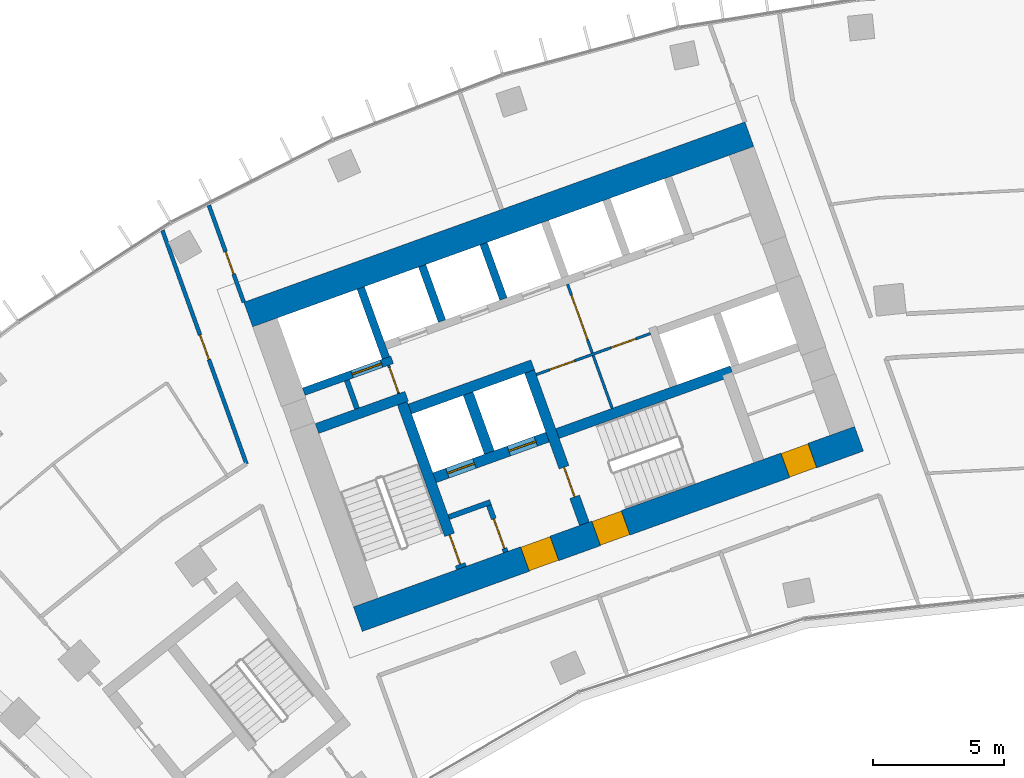
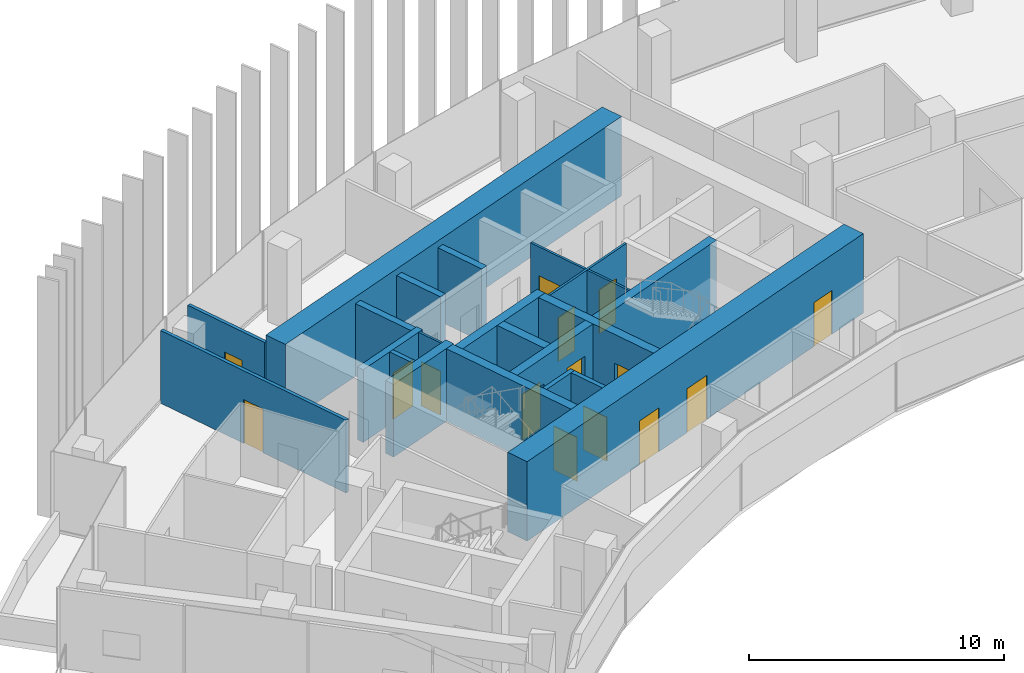
# One storey, part 13 of 20: 20 walls, 15 doors, 15 openings.
"""IFC4 building model written with IfcOpenShell, lengths in metres."""

from ifc_helpers import new_model, si_unit, direction, frame, frame_2d, origin, place, context, subcontext, project, spatial, rectangle, extrude, material, layer, layer_set, type_object, element, fill, save


model = new_model("IFC4")

# Units and contexts
model_context = context("Model", 3, precision=1e-05, world=origin(), true_north=direction((0.0, 1.0)))
body_context = subcontext(model_context, "Body", "Model", "MODEL_VIEW")
ifc_project = project(units=[si_unit("LENGTHUNIT", "METRE"), si_unit("AREAUNIT", "SQUARE_METRE"), si_unit("VOLUMEUNIT", "CUBIC_METRE"), si_unit("PLANEANGLEUNIT", "RADIAN"), si_unit("MASSUNIT", "GRAM", prefix="KILO")], contexts=[model_context])

# Site, building, storey
site_placement = place(None, origin())
site = spatial("IfcSite", under=ifc_project, at=site_placement, CompositionType="ELEMENT")
building_placement = place(site_placement, origin())
building = spatial("IfcBuilding", under=site, at=building_placement, Name="Stone Belt Terrace Tower", CompositionType="ELEMENT")
storey_placement = place(building_placement, frame((0.0, 0.0, 201.0)))
storey = spatial("IfcBuildingStorey", under=building, at=storey_placement, Name="L48", CompositionType="ELEMENT", Elevation=201.0)

# Wall, opening, door
ifc_material_1 = material(Name="Plasterboard partition")
ifc_layer_1 = layer(ifc_material_1, 0.10009765625)
ifc_layer_set_1 = layer_set([ifc_layer_1], Name="Core partition 100")
wall_type_1 = type_object("IfcWallType", Name="Core partition 100", PredefinedType="PARTITIONING", material=ifc_layer_set_1)
wall_1_placement = place(storey_placement, frame((-24.555908203125, 51.10400390625, 0.0), z_axis=(0.0, 0.0, 1.0), x_axis=(-0.338621735342, 0.94092258999, 0.0)))
wall_1 = element("IfcWall", 1, at=wall_1_placement, inside=storey, type_object=wall_type_1, Name="Core A wall", PredefinedType="PARTITIONING", context=body_context, shape_type="SweptSolid", body=[
    extrude(rectangle(XDim=1.14990234375, YDim=0.10009765625, at=frame_2d((0.574951171875, 0.0))), origin(), (0.0, 0.0, 1.0), 3.47998046875),
])
opening_1_placement = place(wall_1_placement, frame((0.050048828125, 0.0, 0.0)))
opening_1 = element("IfcOpeningElement", 2, at=opening_1_placement, cuts=wall_1, Name="Opening L48-C05", PredefinedType="OPENING", context=body_context, shape_type="SweptSolid", body=[
    extrude(rectangle(XDim=1.0, YDim=2.10009765625, at=frame_2d((0.5, 1.050048828125))), frame((0.0, 0.06005859375, 0.0), z_axis=(0.0, -1.0, 0.0), x_axis=(1.0, 0.0, 0.0)), (0.0, 0.0, 1.0), 0.1201171875),
])
ifc_material_2 = material(Name="Timber door leaf", Category="wood")
door_type_1 = type_object("IfcDoorType", Name="Core room door 1000", OperationType="SINGLE_SWING_LEFT", PredefinedType="DOOR", material=ifc_material_2)
door_1_placement = place(opening_1_placement, origin())
door_1 = element("IfcDoor", 3, at=door_1_placement, inside=storey, type_object=door_type_1, Name="Service lift lobby door core A", OperationType="SINGLE_SWING_LEFT", OverallHeight=2.10009765625, OverallWidth=1.0, PredefinedType="DOOR", context=body_context, shape_type="SweptSolid", body=[
    extrude(rectangle(XDim=1.0, YDim=2.10009765625, at=frame_2d((0.5, 1.050048828125))), frame((0.0, 0.02490234375, 0.0), z_axis=(0.0, -1.0, 0.0), x_axis=(1.0, 0.0, 0.0)), (0.0, 0.0, 1.0), 0.050048828125),
])
fill(opening_1, door_1)

# Wall, openings, doors
wall_2_placement = place(storey_placement, frame((-19.29052734375, 51.829833984375, 0.0), z_axis=(0.0, 0.0, 1.0), x_axis=(0.940930240745, 0.338600475563, 0.0)))
wall_2 = element("IfcWall", 4, at=wall_2_placement, inside=storey, type_object=wall_type_1, Name="Core A wall", PredefinedType="PARTITIONING", context=body_context, shape_type="SweptSolid", body=[
    extrude(rectangle(XDim=4.64990234375, YDim=0.10009765625, at=frame_2d((2.324951171875, 0.0))), origin(), (0.0, 0.0, 1.0), 3.47998046875),
])
opening_2_placement = place(wall_2_placement, frame((0.550048828125, 0.0, 0.0)))
opening_2 = element("IfcOpeningElement", 5, at=opening_2_placement, cuts=wall_2, Name="Opening L48-C02", PredefinedType="OPENING", context=body_context, shape_type="SweptSolid", body=[
    extrude(rectangle(XDim=1.0, YDim=2.10009765625, at=frame_2d((0.5, 1.050048828125))), frame((0.0, 0.06005859375, 0.0), z_axis=(0.0, -1.0, 0.0), x_axis=(1.0, 0.0, 0.0)), (0.0, 0.0, 1.0), 0.1201171875),
])
opening_3_placement = place(wall_2_placement, frame((3.050048828125, 0.0, 0.0)))
opening_3 = element("IfcOpeningElement", 6, at=opening_3_placement, cuts=wall_2, Name="Opening L48-C03", PredefinedType="OPENING", context=body_context, shape_type="SweptSolid", body=[
    extrude(rectangle(XDim=1.0, YDim=2.10009765625, at=frame_2d((0.5, 1.050048828125))), frame((0.0, 0.06005859375, 0.0), z_axis=(0.0, -1.0, 0.0), x_axis=(1.0, 0.0, 0.0)), (0.0, 0.0, 1.0), 0.1201171875),
])
door_2_placement = place(opening_2_placement, origin())
door_2 = element("IfcDoor", 7, at=door_2_placement, inside=storey, type_object=door_type_1, Name="Door to Telecommunications room core A", OperationType="SINGLE_SWING_LEFT", OverallHeight=2.10009765625, OverallWidth=1.0, PredefinedType="DOOR", context=body_context, shape_type="SweptSolid", body=[
    extrude(rectangle(XDim=1.0, YDim=2.10009765625, at=frame_2d((0.5, 1.050048828125))), frame((0.0, 0.02490234375, 0.0), z_axis=(0.0, -1.0, 0.0), x_axis=(1.0, 0.0, 0.0)), (0.0, 0.0, 1.0), 0.050048828125),
])
fill(opening_2, door_2)
door_3_placement = place(opening_3_placement, origin())
door_3 = element("IfcDoor", 8, at=door_3_placement, inside=storey, type_object=door_type_1, Name="Door to Archive store core A", OperationType="SINGLE_SWING_RIGHT", OverallHeight=2.10009765625, OverallWidth=1.0, PredefinedType="DOOR", context=body_context, shape_type="SweptSolid", body=[
    extrude(rectangle(XDim=1.0, YDim=2.10009765625, at=frame_2d((0.5, 1.050048828125))), frame((0.0, 0.02490234375, 0.0), z_axis=(0.0, -1.0, 0.0), x_axis=(1.0, 0.0, 0.0)), (0.0, 0.0, 1.0), 0.050048828125),
])
fill(opening_3, door_3)

# Wall, opening, door
wall_3_placement = place(storey_placement, frame((-16.38134765625, 50.53857421875, 0.0), z_axis=(0.0, 0.0, 1.0), x_axis=(-0.33860476744, 0.940928696271, 0.0)))
wall_3 = element("IfcWall", 9, at=wall_3_placement, inside=storey, type_object=wall_type_1, Name="Core A wall", PredefinedType="PARTITIONING", context=body_context, shape_type="SweptSolid", body=[
    extrude(rectangle(XDim=5.050048828125, YDim=0.10009765625, at=frame_2d((2.52490234375, 0.0))), origin(), (0.0, 0.0, 1.0), 3.47998046875),
])
opening_4_placement = place(wall_3_placement, frame((2.800048828125, 0.0, 0.0)))
opening_4 = element("IfcOpeningElement", 10, at=opening_4_placement, cuts=wall_3, Name="Opening L48-C06", PredefinedType="OPENING", context=body_context, shape_type="SweptSolid", body=[
    extrude(rectangle(XDim=1.800048828125, YDim=2.10009765625, at=frame_2d((0.89990234375, 1.050048828125))), frame((0.0, 0.06005859375, 0.0), z_axis=(0.0, -1.0, 0.0), x_axis=(1.0, 0.0, 0.0)), (0.0, 0.0, 1.0), 0.1201171875),
])
ifc_material_3 = material(Name="Glazed aluminium door leaf", Category="aluminium")
door_type_2 = type_object("IfcDoorType", Name="Lift lobby entrance door 1800", OperationType="DOUBLE_DOOR_SINGLE_SWING", PredefinedType="DOOR", material=ifc_material_3)
door_4_placement = place(opening_4_placement, origin())
door_4 = element("IfcDoor", 11, at=door_4_placement, inside=storey, type_object=door_type_2, Name="Lift lobby double door core A", OperationType="DOUBLE_DOOR_SINGLE_SWING", OverallHeight=2.10009765625, OverallWidth=1.800048828125, PredefinedType="DOOR", context=body_context, shape_type="SweptSolid", body=[
    extrude(rectangle(XDim=1.800048828125, YDim=2.10009765625, at=frame_2d((0.89990234375, 1.050048828125))), frame((0.0, 0.02490234375, 0.0), z_axis=(0.0, -1.0, 0.0), x_axis=(1.0, 0.0, 0.0)), (0.0, 0.0, 1.0), 0.050048828125),
])
fill(opening_4, door_4)

# Wall, openings, doors
ifc_material_4 = material(Name="Concrete B60", Category="concrete")
ifc_layer_2 = layer(ifc_material_4, 1.0)
ifc_layer_set_2 = layer_set([ifc_layer_2], Name="Core wall 1000 B60")
wall_type_2 = type_object("IfcWallType", Name="Core wall 1000 B60", PredefinedType="SHEAR", material=ifc_layer_set_2)
wall_4_placement = place(storey_placement, frame((-26.122314453125, 42.462890625, 0.0), z_axis=(0.0, 0.0, 1.0), x_axis=(0.940921428504, 0.338624962727, 0.0)))
wall_4 = element("IfcWall", 12, at=wall_4_placement, inside=storey, type_object=wall_type_2, Name="Core A wall concave L48", PredefinedType="SHEAR", context=body_context, shape_type="SweptSolid", body=[
    extrude(rectangle(XDim=20.400146484375, YDim=1.0, at=frame_2d((10.2001953125, 0.0))), origin(), (0.0, 0.0, 1.0), 3.800048828125),
])
opening_5_placement = place(wall_4_placement, frame((6.800048828125, 0.0, 0.0)))
opening_5 = element("IfcOpeningElement", 13, at=opening_5_placement, cuts=wall_4, Name="Opening L48-C10", PredefinedType="OPENING", context=body_context, shape_type="SweptSolid", body=[
    extrude(rectangle(XDim=1.199951171875, YDim=2.10009765625, at=frame_2d((0.60009765625, 1.050048828125))), frame((0.0, 0.510009765625, 0.0), z_axis=(0.0, -1.0, 0.0), x_axis=(1.0, 0.0, 0.0)), (0.0, 0.0, 1.0), 1.02001953125),
])
opening_6_placement = place(wall_4_placement, frame((9.699951171875, 0.0, 0.0)))
opening_6 = element("IfcOpeningElement", 14, at=opening_6_placement, cuts=wall_4, Name="Opening L48-C12", PredefinedType="OPENING", context=body_context, shape_type="SweptSolid", body=[
    extrude(rectangle(XDim=1.199951171875, YDim=2.10009765625, at=frame_2d((0.60009765625, 1.050048828125))), frame((0.0, 0.510009765625, 0.0), z_axis=(0.0, -1.0, 0.0), x_axis=(1.0, 0.0, 0.0)), (0.0, 0.0, 1.0), 1.02001953125),
])
opening_7_placement = place(wall_4_placement, frame((17.400146484375, 0.0, 0.0)))
opening_7 = element("IfcOpeningElement", 15, at=opening_7_placement, cuts=wall_4, Name="Opening L48-C14", PredefinedType="OPENING", context=body_context, shape_type="SweptSolid", body=[
    extrude(rectangle(XDim=1.10009765625, YDim=2.10009765625, at=frame_2d((0.550048828125, 1.050048828125))), frame((0.0, 0.510009765625, 0.0), z_axis=(0.0, -1.0, 0.0), x_axis=(1.0, 0.0, 0.0)), (0.0, 0.0, 1.0), 1.02001953125),
])
door_type_3 = type_object("IfcDoorType", Name="Core room door 1100", OperationType="SINGLE_SWING_LEFT", PredefinedType="DOOR", material=ifc_material_2)
door_5_placement = place(opening_7_placement, origin())
door_5 = element("IfcDoor", 16, at=door_5_placement, inside=storey, type_object=door_type_3, Name="Door to Cleaner's store core A", OperationType="SINGLE_SWING_LEFT", OverallHeight=2.10009765625, OverallWidth=1.10009765625, PredefinedType="DOOR", context=body_context, shape_type="SweptSolid", body=[
    extrude(rectangle(XDim=1.10009765625, YDim=2.10009765625, at=frame_2d((0.550048828125, 1.050048828125))), frame((0.0, 0.47998046875, 0.0), z_axis=(0.0, -1.0, 0.0), x_axis=(1.0, 0.0, 0.0)), (0.0, 0.0, 1.0), 0.9599609375),
])
fill(opening_7, door_5)
ifc_material_5 = material(Name="Steel door leaf", Category="steel")
door_type_4 = type_object("IfcDoorType", Name="Fire-fighting lobby door 1200", OperationType="SINGLE_SWING_LEFT", PredefinedType="DOOR", material=ifc_material_5)
door_6_placement = place(opening_5_placement, origin())
door_6 = element("IfcDoor", 17, at=door_6_placement, inside=storey, type_object=door_type_4, Name="Fire-fighting lobby door core A", OperationType="SINGLE_SWING_LEFT", OverallHeight=2.10009765625, OverallWidth=1.199951171875, PredefinedType="DOOR", context=body_context, shape_type="SweptSolid", body=[
    extrude(rectangle(XDim=1.199951171875, YDim=2.10009765625, at=frame_2d((0.60009765625, 1.050048828125))), frame((0.0, 0.47998046875, 0.0), z_axis=(0.0, -1.0, 0.0), x_axis=(1.0, 0.0, 0.0)), (0.0, 0.0, 1.0), 0.9599609375),
])
fill(opening_5, door_6)
door_type_5 = type_object("IfcDoorType", Name="Stair door 1200", OperationType="SINGLE_SWING_LEFT", PredefinedType="DOOR", material=ifc_material_5)
door_7_placement = place(opening_6_placement, origin())
door_7 = element("IfcDoor", 18, at=door_7_placement, inside=storey, type_object=door_type_5, Name="Stair 2 exit door core A", OperationType="SINGLE_SWING_RIGHT", OverallHeight=2.10009765625, OverallWidth=1.199951171875, PredefinedType="DOOR", context=body_context, shape_type="SweptSolid", body=[
    extrude(rectangle(XDim=1.199951171875, YDim=2.10009765625, at=frame_2d((0.60009765625, 1.050048828125))), frame((0.0, 0.47998046875, 0.0), z_axis=(0.0, -1.0, 0.0), x_axis=(1.0, 0.0, 0.0)), (0.0, 0.0, 1.0), 0.9599609375),
])
fill(opening_6, door_7)

# Walls
wall_5_placement = place(storey_placement, frame((-30.3212890625, 54.13037109375, 0.0), z_axis=(0.0, 0.0, 1.0), x_axis=(0.940921428504, 0.338624962727, 0.0)))
element("IfcWall", 19, at=wall_5_placement, inside=storey, type_object=wall_type_2, Name="Core A wall convex L48", PredefinedType="SHEAR", context=body_context, shape_type="SweptSolid", body=[
    extrude(rectangle(XDim=20.400146484375, YDim=1.0, at=frame_2d((10.2001953125, 0.0))), origin(), (0.0, 0.0, 1.0), 3.800048828125),
])
ifc_material_6 = material(Name="Concrete B80", Category="concrete")
ifc_layer_3 = layer(ifc_material_6, 0.39990234375)
ifc_layer_set_3 = layer_set([ifc_layer_3], Name="Fire-fighting lift shaft wall 400")
wall_type_3 = type_object("IfcWallType", Name="Fire-fighting lift shaft wall 400", PredefinedType="SHEAR", material=ifc_layer_set_3)
wall_6_placement = place(storey_placement, frame((-24.130615234375, 50.512939453125, 0.0), z_axis=(0.0, 0.0, 1.0), x_axis=(0.94091168377, 0.338652038744, 0.0)))
element("IfcWall", 20, at=wall_6_placement, inside=storey, type_object=wall_type_3, Name="Core A wall", PredefinedType="SHEAR", context=body_context, shape_type="SweptSolid", body=[
    extrude(rectangle(XDim=5.000244140625, YDim=0.39990234375, at=frame_2d((2.5, 0.0))), origin(), (0.0, 0.0, 1.0), 3.47998046875),
])
wall_7_placement = place(storey_placement, frame((-21.0859375, 48.845458984375, 0.0), z_axis=(0.0, 0.0, 1.0), x_axis=(-0.338629416206, 0.940919825745, 0.0)))
element("IfcWall", 21, at=wall_7_placement, inside=storey, type_object=wall_type_3, Name="Core A wall", PredefinedType="SHEAR", context=body_context, shape_type="SweptSolid", body=[
    extrude(rectangle(XDim=2.400146484375, YDim=0.39990234375, at=frame_2d((1.2001953125, 0.0))), origin(), (0.0, 0.0, 1.0), 3.47998046875),
])

# Wall, opening, door
ifc_layer_4 = layer(ifc_material_6, 0.300048828125)
ifc_layer_set_4 = layer_set([ifc_layer_4], Name="Lift shaft wall 300")
wall_type_4 = type_object("IfcWallType", Name="Lift shaft wall 300", PredefinedType="SHEAR", material=ifc_layer_set_4)
wall_8_placement = place(storey_placement, frame((-28.195068359375, 51.17578125, 0.0), z_axis=(0.0, 0.0, 1.0), x_axis=(0.940901243567, 0.338681044427, 0.0)))
wall_8 = element("IfcWall", 22, at=wall_8_placement, inside=storey, type_object=wall_type_4, Name="Core A wall", PredefinedType="SHEAR", context=body_context, shape_type="SweptSolid", body=[
    extrude(rectangle(XDim=3.599853515625, YDim=0.300048828125, at=frame_2d((1.7998046875, 0.0))), origin(), (0.0, 0.0, 1.0), 3.47998046875),
])
opening_8_placement = place(wall_8_placement, frame((1.969970703125, 0.0, 0.0)))
opening_8 = element("IfcOpeningElement", 23, at=opening_8_placement, cuts=wall_8, Name="Opening L48-LD08", PredefinedType="OPENING", context=body_context, shape_type="SweptSolid", body=[
    extrude(rectangle(XDim=1.199951171875, YDim=2.199951171875, at=frame_2d((0.60009765625, 1.10009765625))), frame((0.0, 0.159912109375, 0.0), z_axis=(0.0, -1.0, 0.0), x_axis=(1.0, 0.0, 0.0)), (0.0, 0.0, 1.0), 0.320068359375),
])
ifc_material_7 = material(Name="Stainless steel door leaf", Category="steel")
door_type_6 = type_object("IfcDoorType", Name="Landing door 1200", OperationType="SLIDING_TO_LEFT", PredefinedType="DOOR", material=ifc_material_7)
door_8_placement = place(opening_8_placement, origin())
door_8 = element("IfcDoor", 24, at=door_8_placement, inside=storey, type_object=door_type_6, Name="Landing door SV1 core A", OperationType="SLIDING_TO_LEFT", OverallHeight=2.199951171875, OverallWidth=1.199951171875, PredefinedType="DOOR", context=body_context, shape_type="SweptSolid", body=[
    extrude(rectangle(XDim=1.199951171875, YDim=2.199951171875, at=frame_2d((0.60009765625, 1.10009765625))), frame((0.0, 0.02490234375, 0.0), z_axis=(0.0, -1.0, 0.0), x_axis=(1.0, 0.0, 0.0)), (0.0, 0.0, 1.0), 0.050048828125),
])
fill(opening_8, door_8)

# Walls
wall_9_placement = place(storey_placement, frame((-25.046875, 52.46826171875, 0.0), z_axis=(0.0, 0.0, 1.0), x_axis=(-0.338549588058, 0.940948551423, 0.0)))
element("IfcWall", 25, at=wall_9_placement, inside=storey, type_object=wall_type_4, Name="Core A wall", PredefinedType="SHEAR", context=body_context, shape_type="SweptSolid", body=[
    extrude(rectangle(XDim=2.849853515625, YDim=0.300048828125, at=frame_2d((1.4248046875, 0.0))), origin(), (0.0, 0.0, 1.0), 3.47998046875),
])
wall_10_placement = place(storey_placement, frame((-22.897705078125, 53.87939453125, 0.0), z_axis=(0.0, 0.0, 1.0), x_axis=(-0.338535034312, 0.940953787677, 0.0)))
element("IfcWall", 26, at=wall_10_placement, inside=storey, type_object=wall_type_4, Name="Core A wall", PredefinedType="SHEAR", context=body_context, shape_type="SweptSolid", body=[
    extrude(rectangle(XDim=2.25, YDim=0.300048828125, at=frame_2d((1.125, 0.0))), origin(), (0.0, 0.0, 1.0), 3.47998046875),
])
wall_11_placement = place(storey_placement, frame((-20.54541015625, 54.72607421875, 0.0), z_axis=(0.0, 0.0, 1.0), x_axis=(-0.338569601369, 0.940941350472, 0.0)))
element("IfcWall", 27, at=wall_11_placement, inside=storey, type_object=wall_type_4, Name="Core A wall", PredefinedType="SHEAR", context=body_context, shape_type="SweptSolid", body=[
    extrude(rectangle(XDim=2.249755859375, YDim=0.300048828125, at=frame_2d((1.125, 0.0))), origin(), (0.0, 0.0, 1.0), 3.47998046875),
])

# Wall, opening, door
ifc_material_8 = material(Name="Gypsum board partition")
ifc_layer_5 = layer(ifc_material_8, 0.14990234375)
ifc_layer_set_5 = layer_set([ifc_layer_5], Name="PARTITION 150 EI 60")
wall_type_5 = type_object("IfcWallType", Name="PARTITION 150 EI 60", PredefinedType="PARTITIONING", material=ifc_layer_set_5)
wall_12_placement = place(storey_placement, frame((-31.826904296875, 58.314208984375, 0.0), z_axis=(0.0, 0.0, 1.0), x_axis=(0.338542007836, -0.940951278723, 0.0)))
wall_12 = element("IfcWall", 28, at=wall_12_placement, inside=storey, type_object=wall_type_5, Name="L48/wall/i002", PredefinedType="PARTITIONING", context=body_context, shape_type="SweptSolid", body=[
    extrude(rectangle(XDim=3.946044921875, YDim=0.14990234375, at=frame_2d((1.97314453125, 0.0))), origin(), (0.0, 0.0, 1.0), 3.47998046875),
])
opening_9_placement = place(wall_12_placement, frame((1.889892578125, 0.0, 0.0)))
opening_9 = element("IfcOpeningElement", 29, at=opening_9_placement, cuts=wall_12, Name="Opening D-D1-04", PredefinedType="OPENING", context=body_context, shape_type="SweptSolid", body=[
    extrude(rectangle(XDim=0.89990234375, YDim=2.10009765625, at=frame_2d((0.449951171875, 1.050048828125))), frame((0.0, 0.0849609375, 0.0), z_axis=(0.0, -1.0, 0.0), x_axis=(1.0, 0.0, 0.0)), (0.0, 0.0, 1.0), 0.169921875),
])
door_type_7 = type_object("IfcDoorType", Name="OFFICE DOOR 900 X 2100", OperationType="NOTDEFINED", PredefinedType="DOOR", material=ifc_material_2)
door_9_placement = place(opening_9_placement, origin())
door_9 = element("IfcDoor", 30, at=door_9_placement, inside=storey, type_object=door_type_7, Name="L48/door/i04", OperationType="SINGLE_SWING_RIGHT", OverallHeight=2.10009765625, OverallWidth=0.89990234375, PredefinedType="DOOR", context=body_context, shape_type="SweptSolid", body=[
    extrude(rectangle(XDim=0.89990234375, YDim=2.10009765625, at=frame_2d((0.449951171875, 1.050048828125))), frame((0.0, 0.02490234375, 0.0), z_axis=(0.0, -1.0, 0.0), x_axis=(1.0, 0.0, 0.0)), (0.0, 0.0, 1.0), 0.050048828125),
])
fill(opening_9, door_9)

wall_13_placement = place(storey_placement, frame((-30.387939453125, 48.408935546875, 0.0), z_axis=(0.0, 0.0, 1.0), x_axis=(-0.338695824945, 0.940895923131, 0.0)))
wall_13 = element("IfcWall", 31, at=wall_13_placement, inside=storey, type_object=wall_type_5, Name="L48/wall/i006", PredefinedType="PARTITIONING", context=body_context, shape_type="SweptSolid", body=[
    extrude(rectangle(XDim=9.507080078125, YDim=0.14990234375, at=frame_2d((4.75341796875, 0.0))), origin(), (0.0, 0.0, 1.0), 3.47998046875),
])
opening_10_placement = place(wall_13_placement, frame((4.25341796875, 0.0, 0.0)))
opening_10 = element("IfcOpeningElement", 32, at=opening_10_placement, cuts=wall_13, Name="Opening D-D1-22", PredefinedType="OPENING", context=body_context, shape_type="SweptSolid", body=[
    extrude(rectangle(XDim=1.0, YDim=2.10009765625, at=frame_2d((0.5, 1.050048828125))), frame((0.0, 0.0849609375, 0.0), z_axis=(0.0, -1.0, 0.0), x_axis=(1.0, 0.0, 0.0)), (0.0, 0.0, 1.0), 0.169921875),
])
ifc_material_9 = material(Name="Timber fire door leaf", Category="wood")
door_type_8 = type_object("IfcDoorType", Name="TENANCY ENTRANCE DOOR 1000 X 2100", OperationType="NOTDEFINED", PredefinedType="DOOR", material=ifc_material_9)
door_10_placement = place(opening_10_placement, origin())
door_10 = element("IfcDoor", 33, at=door_10_placement, inside=storey, type_object=door_type_8, Name="L48/door/i22", OperationType="SINGLE_SWING_RIGHT", OverallHeight=2.10009765625, OverallWidth=1.0, PredefinedType="DOOR", context=body_context, shape_type="SweptSolid", body=[
    extrude(rectangle(XDim=1.0, YDim=2.10009765625, at=frame_2d((0.5, 1.050048828125))), frame((0.0, 0.02490234375, 0.0), z_axis=(0.0, -1.0, 0.0), x_axis=(1.0, 0.0, 0.0)), (0.0, 0.0, 1.0), 0.050048828125),
])
fill(opening_10, door_10)

# Walls
ifc_material_10 = material(Name="Concrete masonry block", Category="masonry")
ifc_layer_6 = layer(ifc_material_10, 0.199951171875)
ifc_layer_set_6 = layer_set([ifc_layer_6], Name="Rated lobby wall 200")
wall_type_6 = type_object("IfcWallType", Name="Rated lobby wall 200", PredefinedType="PARTITIONING", material=ifc_layer_set_6)
wall_14_placement = place(storey_placement, frame((-26.1552734375, 50.5283203125, 0.0), z_axis=(0.0, 0.0, 1.0), x_axis=(-0.338621735342, 0.94092258999, 0.0)))
element("IfcWall", 34, at=wall_14_placement, inside=storey, type_object=wall_type_6, Name="Core A wall", PredefinedType="PARTITIONING", context=body_context, shape_type="SweptSolid", body=[
    extrude(rectangle(XDim=1.14990234375, YDim=0.199951171875, at=frame_2d((0.574951171875, 0.0))), origin(), (0.0, 0.0, 1.0), 3.47998046875),
])
wall_15_placement = place(storey_placement, frame((-22.640625, 46.373046875, 0.0), z_axis=(0.0, 0.0, 1.0), x_axis=(0.940966110313, 0.338500781747, 0.0)))
element("IfcWall", 35, at=wall_15_placement, inside=storey, type_object=wall_type_6, Name="Core A wall", PredefinedType="PARTITIONING", context=body_context, shape_type="SweptSolid", body=[
    extrude(rectangle(XDim=1.699951171875, YDim=0.199951171875, at=frame_2d((0.85009765625, 0.0))), origin(), (0.0, 0.0, 1.0), 3.47998046875),
])

# Wall, opening, door
wall_16_placement = place(storey_placement, frame((-20.4580078125, 45.032958984375, 0.0), z_axis=(0.0, 0.0, 1.0), x_axis=(-0.338573865316, 0.940939816208, 0.0)))
wall_16 = element("IfcWall", 36, at=wall_16_placement, inside=storey, type_object=wall_type_6, Name="Core A wall", PredefinedType="PARTITIONING", context=body_context, shape_type="SweptSolid", body=[
    extrude(rectangle(XDim=1.900146484375, YDim=0.199951171875, at=frame_2d((0.9501953125, 0.0))), origin(), (0.0, 0.0, 1.0), 3.47998046875),
])
opening_11_placement = place(wall_16_placement, frame((0.14990234375, 0.0, 0.0)))
opening_11 = element("IfcOpeningElement", 37, at=opening_11_placement, cuts=wall_16, Name="Opening L48-C09", PredefinedType="OPENING", context=body_context, shape_type="SweptSolid", body=[
    extrude(rectangle(XDim=1.199951171875, YDim=2.10009765625, at=frame_2d((0.60009765625, 1.050048828125))), frame((0.0, 0.10986328125, 0.0), z_axis=(0.0, -1.0, 0.0), x_axis=(1.0, 0.0, 0.0)), (0.0, 0.0, 1.0), 0.219970703125),
])
door_11_placement = place(opening_11_placement, origin())
door_11 = element("IfcDoor", 38, at=door_11_placement, inside=storey, type_object=door_type_5, Name="Stair airlock door core A", OperationType="SINGLE_SWING_LEFT", OverallHeight=2.10009765625, OverallWidth=1.199951171875, PredefinedType="DOOR", context=body_context, shape_type="SweptSolid", body=[
    extrude(rectangle(XDim=1.199951171875, YDim=2.10009765625, at=frame_2d((0.60009765625, 1.050048828125))), frame((0.0, 0.02490234375, 0.0), z_axis=(0.0, -1.0, 0.0), x_axis=(1.0, 0.0, 0.0)), (0.0, 0.0, 1.0), 0.050048828125),
])
fill(opening_11, door_11)

# Wall
ifc_layer_7 = layer(ifc_material_6, 0.39990234375)
ifc_layer_set_7 = layer_set([ifc_layer_7], Name="Stair enclosure wall 400")
wall_type_7 = type_object("IfcWallType", Name="Stair enclosure wall 400", PredefinedType="SHEAR", material=ifc_layer_set_7)
wall_17_placement = place(storey_placement, frame((-27.687255859375, 49.764404296875, 0.0), z_axis=(0.0, 0.0, 1.0), x_axis=(0.940918954884, 0.338631835981, 0.0)))
element("IfcWall", 39, at=wall_17_placement, inside=storey, type_object=wall_type_7, Name="Core A wall", PredefinedType="SHEAR", context=body_context, shape_type="SweptSolid", body=[
    extrude(rectangle(XDim=3.650146484375, YDim=0.39990234375, at=frame_2d((1.8251953125, 0.0))), origin(), (0.0, 0.0, 1.0), 3.47998046875),
])

# Wall, opening, door
wall_18_placement = place(storey_placement, frame((-22.151611328125, 44.42333984375, 0.0), z_axis=(0.0, 0.0, 1.0), x_axis=(-0.338625272931, 0.940921316866, 0.0)))
wall_18 = element("IfcWall", 40, at=wall_18_placement, inside=storey, type_object=wall_type_7, Name="Core A wall", PredefinedType="SHEAR", context=body_context, shape_type="SweptSolid", body=[
    extrude(rectangle(XDim=6.699951171875, YDim=0.39990234375, at=frame_2d((3.35009765625, 0.0))), origin(), (0.0, 0.0, 1.0), 3.47998046875),
])
opening_12_placement = place(wall_18_placement, frame((0.14990234375, 0.0, 0.0)))
opening_12 = element("IfcOpeningElement", 41, at=opening_12_placement, cuts=wall_18, Name="Opening L48-C08", PredefinedType="OPENING", context=body_context, shape_type="SweptSolid", body=[
    extrude(rectangle(XDim=1.199951171875, YDim=2.10009765625, at=frame_2d((0.60009765625, 1.050048828125))), frame((0.0, 0.2099609375, 0.0), z_axis=(0.0, -1.0, 0.0), x_axis=(1.0, 0.0, 0.0)), (0.0, 0.0, 1.0), 0.419921875),
])
door_12_placement = place(opening_12_placement, origin())
door_12 = element("IfcDoor", 42, at=door_12_placement, inside=storey, type_object=door_type_5, Name="Stair 1 door core A", OperationType="SINGLE_SWING_LEFT", OverallHeight=2.10009765625, OverallWidth=1.199951171875, PredefinedType="DOOR", context=body_context, shape_type="SweptSolid", body=[
    extrude(rectangle(XDim=1.199951171875, YDim=2.10009765625, at=frame_2d((0.60009765625, 1.050048828125))), frame((0.0, 0.02490234375, 0.0), z_axis=(0.0, -1.0, 0.0), x_axis=(1.0, 0.0, 0.0)), (0.0, 0.0, 1.0), 0.050048828125),
])
fill(opening_12, door_12)

# Wall, openings, doors
wall_19_placement = place(storey_placement, frame((-23.182373046875, 47.87841796875, 0.0), z_axis=(0.0, 0.0, 1.0), x_axis=(0.940921101762, 0.338625870628, 0.0)))
wall_19 = element("IfcWall", 43, at=wall_19_placement, inside=storey, type_object=wall_type_7, Name="Core A wall", PredefinedType="SHEAR", context=body_context, shape_type="SweptSolid", body=[
    extrude(rectangle(XDim=12.10009765625, YDim=0.39990234375, at=frame_2d((6.050048828125, 0.0))), origin(), (0.0, 0.0, 1.0), 3.47998046875),
])
opening_13_placement = place(wall_19_placement, frame((0.52001953125, 0.0, 0.0)))
opening_13 = element("IfcOpeningElement", 44, at=opening_13_placement, cuts=wall_19, Name="Opening L48-LD06", PredefinedType="OPENING", context=body_context, shape_type="SweptSolid", body=[
    extrude(rectangle(XDim=1.10009765625, YDim=2.199951171875, at=frame_2d((0.550048828125, 1.10009765625))), frame((0.0, 0.2099609375, 0.0), z_axis=(0.0, -1.0, 0.0), x_axis=(1.0, 0.0, 0.0)), (0.0, 0.0, 1.0), 0.419921875),
])
opening_14_placement = place(wall_19_placement, frame((3.02001953125, 0.0, 0.0)))
opening_14 = element("IfcOpeningElement", 45, at=opening_14_placement, cuts=wall_19, Name="Opening L48-LD07", PredefinedType="OPENING", context=body_context, shape_type="SweptSolid", body=[
    extrude(rectangle(XDim=1.10009765625, YDim=2.199951171875, at=frame_2d((0.550048828125, 1.10009765625))), frame((0.0, 0.2099609375, 0.0), z_axis=(0.0, -1.0, 0.0), x_axis=(1.0, 0.0, 0.0)), (0.0, 0.0, 1.0), 0.419921875),
])
door_type_9 = type_object("IfcDoorType", Name="Landing door 1100", OperationType="SLIDING_TO_LEFT", PredefinedType="DOOR", material=ifc_material_7)
door_13_placement = place(opening_13_placement, origin())
door_13 = element("IfcDoor", 46, at=door_13_placement, inside=storey, type_object=door_type_9, Name="Landing door FF1 core A", OperationType="SLIDING_TO_LEFT", OverallHeight=2.199951171875, OverallWidth=1.10009765625, PredefinedType="DOOR", context=body_context, shape_type="SweptSolid", body=[
    extrude(rectangle(XDim=1.10009765625, YDim=2.199951171875, at=frame_2d((0.550048828125, 1.10009765625))), frame((0.0, 0.02490234375, 0.0), z_axis=(0.0, -1.0, 0.0), x_axis=(1.0, 0.0, 0.0)), (0.0, 0.0, 1.0), 0.050048828125),
])
fill(opening_13, door_13)
door_14_placement = place(opening_14_placement, origin())
door_14 = element("IfcDoor", 47, at=door_14_placement, inside=storey, type_object=door_type_9, Name="Landing door FF2 core A", OperationType="SLIDING_TO_LEFT", OverallHeight=2.199951171875, OverallWidth=1.10009765625, PredefinedType="DOOR", context=body_context, shape_type="SweptSolid", body=[
    extrude(rectangle(XDim=1.10009765625, YDim=2.199951171875, at=frame_2d((0.550048828125, 1.10009765625))), frame((0.0, 0.02490234375, 0.0), z_axis=(0.0, -1.0, 0.0), x_axis=(1.0, 0.0, 0.0)), (0.0, 0.0, 1.0), 0.050048828125),
])
fill(opening_14, door_14)

# Wall, opening, door
wall_20_placement = place(storey_placement, frame((-17.447021484375, 46.116455078125, 0.0), z_axis=(0.0, 0.0, 1.0), x_axis=(-0.33860791464, 0.940927563707, 0.0)))
wall_20 = element("IfcWall", 48, at=wall_20_placement, inside=storey, type_object=wall_type_7, Name="Core A wall", PredefinedType="SHEAR", context=body_context, shape_type="SweptSolid", body=[
    extrude(rectangle(XDim=6.199951171875, YDim=0.39990234375, at=frame_2d((3.10009765625, 0.0))), origin(), (0.0, 0.0, 1.0), 3.47998046875),
])
opening_15_placement = place(wall_20_placement, frame((1.10009765625, 0.0, 0.0)))
opening_15 = element("IfcOpeningElement", 49, at=opening_15_placement, cuts=wall_20, Name="Opening L48-C11", PredefinedType="OPENING", context=body_context, shape_type="SweptSolid", body=[
    extrude(rectangle(XDim=1.199951171875, YDim=2.10009765625, at=frame_2d((0.60009765625, 1.050048828125))), frame((0.0, 0.2099609375, 0.0), z_axis=(0.0, -1.0, 0.0), x_axis=(1.0, 0.0, 0.0)), (0.0, 0.0, 1.0), 0.419921875),
])
door_15_placement = place(opening_15_placement, origin())
door_15 = element("IfcDoor", 50, at=door_15_placement, inside=storey, type_object=door_type_5, Name="Stair 2 door core A", OperationType="SINGLE_SWING_LEFT", OverallHeight=2.10009765625, OverallWidth=1.199951171875, PredefinedType="DOOR", context=body_context, shape_type="SweptSolid", body=[
    extrude(rectangle(XDim=1.199951171875, YDim=2.10009765625, at=frame_2d((0.60009765625, 1.050048828125))), frame((0.0, 0.02490234375, 0.0), z_axis=(0.0, -1.0, 0.0), x_axis=(1.0, 0.0, 0.0)), (0.0, 0.0, 1.0), 0.050048828125),
])
fill(opening_15, door_15)

save(model, "model.ifc")
